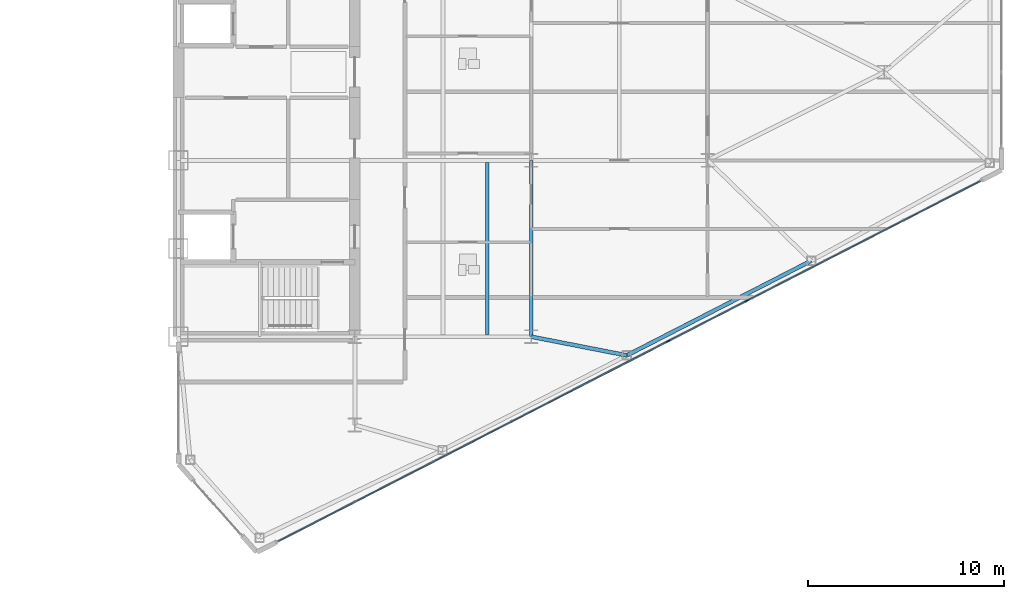
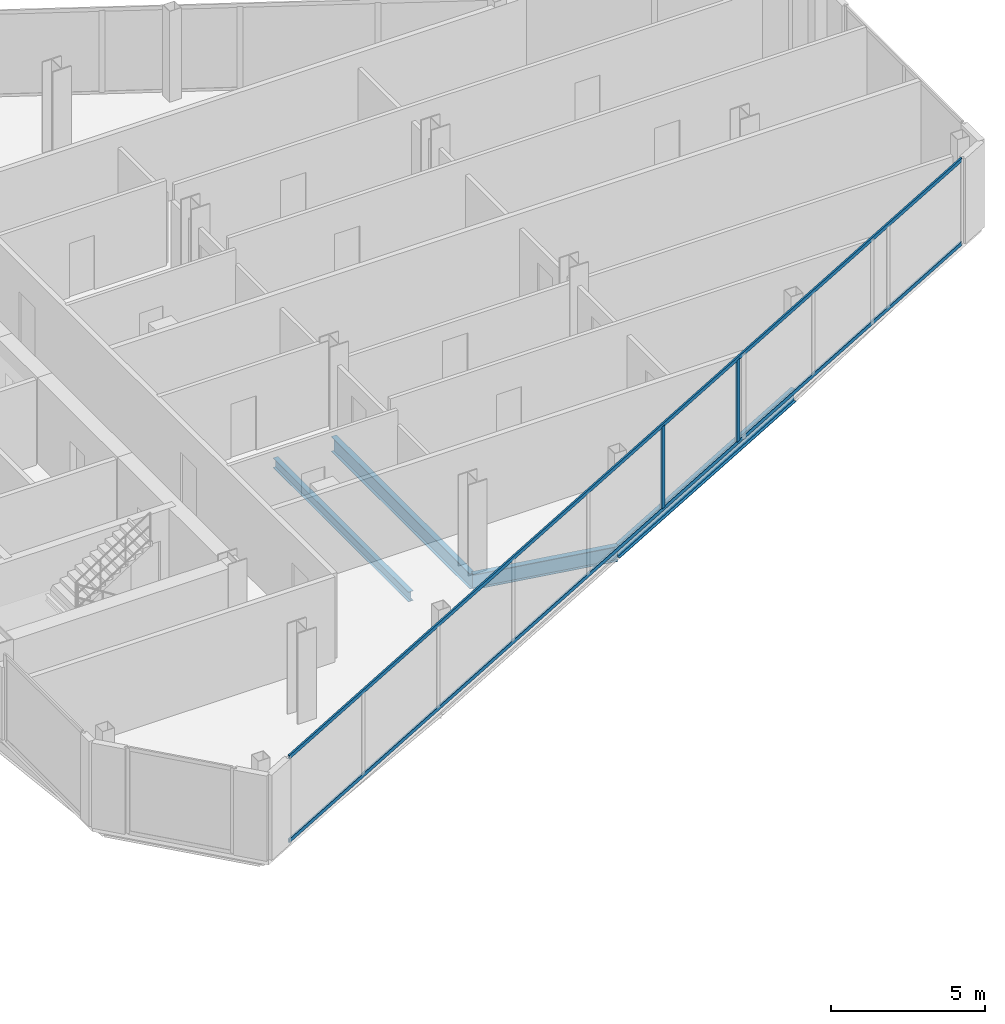
# One storey, part 9 of 23: 4 beams, 4 members, 1 element without a shape of its own.
"""IFC4 building model written with IfcOpenShell, lengths in metres."""

from ifc_helpers import new_model, si_unit, direction, frame, origin, origin_2d, place, context, subcontext, project, spatial, rectangle, i_section, extrude, source, transform, mapped, material, layer, layer_set, material_profile, profile_set, type_object, type_shapes, element, aggregate, save


model = new_model("IFC4")

# Units and contexts
model_context = context("Model", 3, precision=1e-05, world=origin(), true_north=direction((0.0, 1.0)))
body_context = subcontext(model_context, "Body", "Model", "MODEL_VIEW")
ifc_project = project(units=[si_unit("LENGTHUNIT", "METRE"), si_unit("AREAUNIT", "SQUARE_METRE"), si_unit("VOLUMEUNIT", "CUBIC_METRE"), si_unit("PLANEANGLEUNIT", "RADIAN"), si_unit("MASSUNIT", "GRAM", prefix="KILO")], contexts=[model_context])

# Site, building, storey
site_placement = place(None, origin())
site = spatial("IfcSite", under=ifc_project, at=site_placement, CompositionType="ELEMENT")
building_placement = place(site_placement, origin())
building = spatial("IfcBuilding", under=site, at=building_placement, Name="Seokmaru Belvedere", CompositionType="ELEMENT")
storey_placement = place(building_placement, frame((0.0, 0.0, 144.0)))
storey = spatial("IfcBuildingStorey", under=building, at=storey_placement, Name="L38", CompositionType="ELEMENT", Elevation=144.0)

# Beams
ifc_material_1 = material(Name="Steel SM355 (355 MPa)", Category="steel")
ifc_material_profile_1 = material_profile(ifc_material_1, i_section(OverallWidth=0.199951171875, OverallDepth=0.60009765625, WebThickness=0.010986328125, FlangeThickness=0.01708984375, at=origin_2d()), Name="H-600x200x11x17")
ifc_profile_set_1 = profile_set([ifc_material_profile_1], Name="Steel SM355 (355 MPa)")
beam_type_1 = type_object("IfcBeamType", Name="Primary Floor Girder H-600", PredefinedType="BEAM", material=ifc_profile_set_1)
shared_shape_1 = source(origin(), body_context, "Body", "SweptSolid", [
    extrude(i_section(OverallWidth=0.199951171875, OverallDepth=0.60009765625, WebThickness=0.010986328125, FlangeThickness=0.01708984375, at=origin_2d()), origin(), (0.0, 0.0, 1.0), 9.0),
])
beam_1_placement = place(storey_placement, frame((45.5, -13.5, -0.52001953125), z_axis=(0.0, 1.0, 0.0), x_axis=(-1.0, 0.0, 0.0)))
element("IfcBeam", 1, at=beam_1_placement, inside=storey, type_object=beam_type_1, Name="L38 E Interior Grid Girder 1", PredefinedType="BEAM", context=body_context, shape_type="MappedRepresentation", body=[
    mapped(shared_shape_1, transform((0.0, 0.0, 0.0), scale=1.0)),
])
ifc_material_profile_2 = material_profile(ifc_material_1, i_section(OverallWidth=0.18505859375, OverallDepth=0.389892578125, WebThickness=0.008056640625, FlangeThickness=0.011962890625, at=origin_2d()), Name="H-390x185x8x12")
ifc_profile_set_2 = profile_set([ifc_material_profile_2], Name="Steel SM355 (355 MPa)")
beam_type_2 = type_object("IfcBeamType", Name="Secondary Floor Joist H-350", PredefinedType="JOIST", material=ifc_profile_set_2)
shared_shape_2 = source(origin(), body_context, "Body", "SweptSolid", [
    extrude(i_section(OverallWidth=0.18505859375, OverallDepth=0.389892578125, WebThickness=0.008056640625, FlangeThickness=0.011962890625, at=origin_2d()), origin(), (0.0, 0.0, 1.0), 8.7900390625),
])
type_shapes(beam_type_2, [shared_shape_2])
beam_2_placement = place(storey_placement, frame((43.25, -13.39501953125, -0.4150390625), z_axis=(0.0, 1.0, 0.0), x_axis=(-1.0, 0.0, 0.0)))
element("IfcBeam", 2, at=beam_2_placement, inside=storey, type_object=beam_type_2, Name="L38 E Wing Inner Secondary Joist 1", PredefinedType="JOIST", context=body_context, shape_type="MappedRepresentation", body=[
    mapped(shared_shape_2, transform((0.0, 0.0, 0.0), scale=1.0)),
])
ifc_material_profile_3 = material_profile(ifc_material_1, i_section(OverallWidth=0.199951171875, OverallDepth=0.5, WebThickness=0.010009765625, FlangeThickness=0.01611328125, at=origin_2d()), Name="H-500x200x10x16")
ifc_profile_set_3 = profile_set([ifc_material_profile_3], Name="Steel SM355 (355 MPa)")
beam_type_3 = type_object("IfcBeamType", Name="Perimeter Spandrel Beam H-500", PredefinedType="SPANDREL", material=ifc_profile_set_3)
shared_shape_3 = source(origin(), body_context, "Body", "SweptSolid", [
    extrude(i_section(OverallWidth=0.199951171875, OverallDepth=0.5, WebThickness=0.010009765625, FlangeThickness=0.01611328125, at=origin_2d()), origin(), (0.0, 0.0, 1.0), 10.56689453125),
])
type_shapes(beam_type_3, [shared_shape_3])
beam_3_placement = place(storey_placement, frame((50.377197265625, -14.453369140625, -0.469970703125), z_axis=(0.889692588006, 0.456560071455, 0.0), x_axis=(-0.456560071455, 0.889692588006, 0.0)))
element("IfcBeam", 3, at=beam_3_placement, inside=storey, type_object=beam_type_3, Name="L38 E Faceted Flank Spandrel S-3", PredefinedType="SPANDREL", context=body_context, shape_type="MappedRepresentation", body=[
    mapped(shared_shape_3, transform((0.0, 0.0, 0.0), scale=1.0)),
])
shared_shape_4 = source(origin(), body_context, "Body", "SweptSolid", [
    extrude(i_section(OverallWidth=0.199951171875, OverallDepth=0.60009765625, WebThickness=0.010986328125, FlangeThickness=0.01708984375, at=origin_2d()), origin(), (0.0, 0.0, 1.0), 4.969482421875),
])
type_shapes(beam_type_1, [shared_shape_1, shared_shape_4])
beam_4_placement = place(storey_placement, frame((50.377197265625, -14.453369140625, -0.52001953125), z_axis=(-0.98142544456, 0.19184393858, 0.0), x_axis=(-0.19184393858, -0.98142544456, 0.0)))
element("IfcBeam", 4, at=beam_4_placement, inside=storey, type_object=beam_type_1, Name="L38 E Flank Radial Floor Girder S-2", PredefinedType="BEAM", context=body_context, shape_type="MappedRepresentation", body=[
    mapped(shared_shape_4, transform((0.0, 0.0, 0.0), scale=1.0)),
])

# Curtain wall, members
ifc_material_2 = material(Name="Bronze Triple Insulating Glass", Category="glass")
ifc_layer = layer(ifc_material_2, 0.195068359375)
ifc_layer_set = layer_set([ifc_layer], Name="Bronze Triple Insulating Glass")
curtain_wall_type = type_object("IfcCurtainWallType", Name="Sky-Lobby and Mid-Rise Curtain Wall System CW-4", PredefinedType="NOTDEFINED", material=ifc_layer_set)
curtain_wall_placement = place(storey_placement, origin())
curtain_wall = element("IfcCurtainWall", 5, at=curtain_wall_placement, inside=storey, type_object=curtain_wall_type, Name="L38 Curtain Wall EF1", PredefinedType="NOTDEFINED")
ifc_material_3 = material(Name="Anodised Bronze Aluminium", Category="aluminium")
ifc_material_profile_4 = material_profile(ifc_material_3, rectangle(XDim=0.070068359375, YDim=0.195068359375, at=origin_2d()), Name="CW-M-70x195")
ifc_profile_set_4 = profile_set([ifc_material_profile_4], Name="Anodised Bronze Aluminium")
member_type_1 = type_object("IfcMemberType", Name="Bronze Unitised Mullion 70x195", PredefinedType="MULLION", material=ifc_profile_set_4)
shared_shape_5 = source(origin(), body_context, "Body", "SweptSolid", [
    extrude(rectangle(XDim=0.070068359375, YDim=0.195068359375, at=origin_2d()), origin(), (0.0, 0.0, 1.0), 3.25),
])
type_shapes(member_type_1, [shared_shape_5])
member_1_placement = place(storey_placement, frame((52.497314453125, -13.72509765625, 0.06494140625), z_axis=(0.0, 0.0, 1.0), x_axis=(-0.456554528263, 0.889695432562, 0.0)))
member_1 = element("IfcMember", 6, at=member_1_placement, type_object=member_type_1, Name="CW:L38:EF1 Mullion 6", PredefinedType="MULLION", context=body_context, shape_type="MappedRepresentation", body=[
    mapped(shared_shape_5, transform((0.0, 0.0, 0.0), scale=1.0)),
])
member_2_placement = place(storey_placement, frame((56.4921875, -11.675048828125, 0.06494140625), z_axis=(0.0, 0.0, 1.0), x_axis=(-0.456554528263, 0.889695432562, 0.0)))
member_2 = element("IfcMember", 7, at=member_2_placement, type_object=member_type_1, Name="CW:L38:EF1 Mullion 7", PredefinedType="MULLION", context=body_context, shape_type="MappedRepresentation", body=[
    mapped(shared_shape_5, transform((0.0, 0.0, 0.0), scale=1.0)),
])
ifc_material_profile_5 = material_profile(ifc_material_3, rectangle(XDim=0.06494140625, YDim=0.14990234375, at=origin_2d()), Name="CW-T-65x150")
ifc_profile_set_5 = profile_set([ifc_material_profile_5], Name="Anodised Bronze Aluminium")
member_type_2 = type_object("IfcMemberType", Name="Bronze Unitised Transom 65x150", PredefinedType="USERDEFINED", material=ifc_profile_set_5)
shared_shape_6 = source(origin(), body_context, "Body", "SweptSolid", [
    extrude(rectangle(XDim=0.06494140625, YDim=0.14990234375, at=origin_2d()), origin(), (0.0, 0.0, 1.0), 40.271240234375),
])
type_shapes(member_type_2, [shared_shape_6])
member_3_placement = place(storey_placement, frame((32.58544921875, -23.943115234375, 0.032470703125), z_axis=(0.889693089107, 0.456559094965, 0.0), x_axis=(-0.456559094965, 0.889693089107, 0.0)))
member_3 = element("IfcMember", 8, at=member_3_placement, type_object=member_type_2, Name="CW:L38:EF1 Continuous Transom 1", ObjectType="TRANSOM", PredefinedType="USERDEFINED", context=body_context, shape_type="MappedRepresentation", body=[
    mapped(shared_shape_6, transform((0.0, 0.0, 0.0), scale=1.0)),
])
member_4_placement = place(storey_placement, frame((32.58544921875, -23.943115234375, 3.347412109375), z_axis=(0.889693089107, 0.456559094965, 0.0), x_axis=(-0.456559094965, 0.889693089107, 0.0)))
member_4 = element("IfcMember", 9, at=member_4_placement, type_object=member_type_2, Name="CW:L38:EF1 Continuous Transom 2", ObjectType="TRANSOM", PredefinedType="USERDEFINED", context=body_context, shape_type="MappedRepresentation", body=[
    mapped(shared_shape_6, transform((0.0, 0.0, 0.0), scale=1.0)),
])
aggregate(curtain_wall, [member_1, member_2, member_3, member_4])

save(model, "model.ifc")
